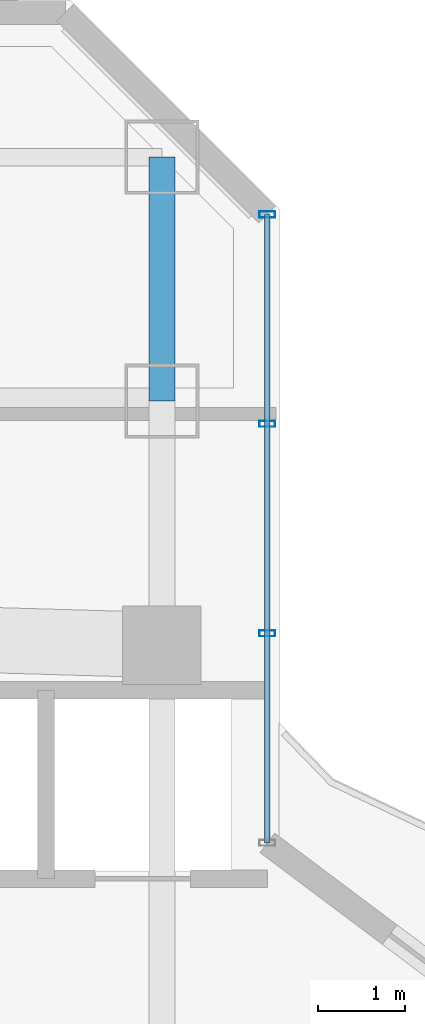
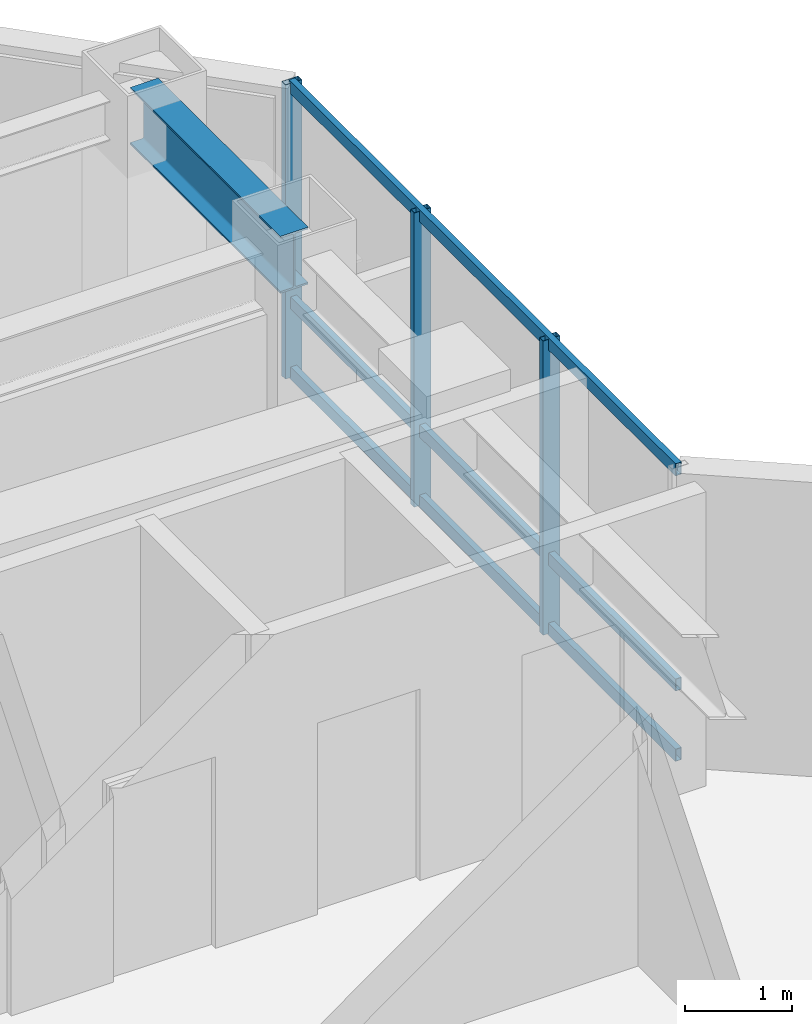
# One storey, part 19 of 26: 6 members, 1 beam, 1 element without a shape of its own.
"""IFC4 building model written with IfcOpenShell, lengths in metres."""

from ifc_helpers import new_model, si_unit, direction, frame, origin, origin_2d, place, context, subcontext, project, spatial, hollow_rectangle, i_section, extrude, material, layer, layer_set, material_profile, profile_set, type_object, element, aggregate, save


model = new_model("IFC4")

# Units and contexts
model_context = context("Model", 3, precision=1e-05, world=origin(), true_north=direction((0.0, 1.0)))
body_context = subcontext(model_context, "Body", "Model", "MODEL_VIEW")
ifc_project = project(units=[si_unit("LENGTHUNIT", "METRE"), si_unit("AREAUNIT", "SQUARE_METRE"), si_unit("VOLUMEUNIT", "CUBIC_METRE"), si_unit("PLANEANGLEUNIT", "RADIAN"), si_unit("MASSUNIT", "GRAM", prefix="KILO")], contexts=[model_context])

# Site, building, storey
site_placement = place(None, origin())
site = spatial("IfcSite", under=ifc_project, at=site_placement, CompositionType="ELEMENT")
building_placement = place(site_placement, origin())
building = spatial("IfcBuilding", under=site, at=building_placement, Name="Hatsunagi Terrace Concourse", CompositionType="ELEMENT")
storey_placement = place(building_placement, frame((0.0, 0.0, 152.85009765625)))
storey = spatial("IfcBuildingStorey", under=building, at=storey_placement, Name="L40", CompositionType="ELEMENT", Elevation=152.85009765625)

# Curtain wall, members
ifc_material_1 = material(Name="Anodised Aluminium Alloy 6063-T5", Category="aluminium")
ifc_layer = layer(ifc_material_1, 0.199951171875)
ifc_layer_set = layer_set([ifc_layer], Name="OfficeZone1_CW03")
curtain_wall_type = type_object("IfcCurtainWallType", Name="OfficeZone1_CW03", PredefinedType="NOTDEFINED", material=ifc_layer_set)
curtain_wall_placement = place(storey_placement, origin())
curtain_wall = element("IfcCurtainWall", 1, at=curtain_wall_placement, inside=storey, type_object=curtain_wall_type, Name="Unitised Curtain Wall CW-03 CW-L40-13", PredefinedType="NOTDEFINED")
ifc_material_2 = material(Name="Anodised Aluminium Alloy 6063-T5", Category="aluminium")
ifc_material_profile_1 = material_profile(ifc_material_2, hollow_rectangle(XDim=0.070068359375, YDim=0.179931640625, WallThickness=0.00390625, at=origin_2d()), Name="ALU-MUL-180x70x4")
ifc_profile_set_1 = profile_set([ifc_material_profile_1], Name="Anodised Aluminium Alloy 6063-T5")
member_type_1 = type_object("IfcMemberType", Name="CurtainWallMullion_180x70", PredefinedType="MULLION", material=ifc_profile_set_1)
member_1_placement = place(storey_placement, frame((44.860107421875, 47.94189453125, 0.0), z_axis=(0.0, 0.0, 1.0), x_axis=(0.0, -1.0, 0.0)))
member_1 = element("IfcMember", 2, at=member_1_placement, type_object=member_type_1, Name="Curtain Wall Mullion MUL-02", PredefinedType="MULLION", context=body_context, shape_type="SweptSolid", body=[
    extrude(hollow_rectangle(XDim=0.070068359375, YDim=0.179931640625, WallThickness=0.00390625, at=origin_2d()), origin(), (0.0, 0.0, 1.0), 3.349853515625),
])
member_2_placement = place(storey_placement, frame((44.860107421875, 45.5380859375, 0.0), z_axis=(0.0, 0.0, 1.0), x_axis=(0.0, -1.0, 0.0)))
member_2 = element("IfcMember", 3, at=member_2_placement, type_object=member_type_1, Name="Curtain Wall Mullion MUL-02", PredefinedType="MULLION", context=body_context, shape_type="SweptSolid", body=[
    extrude(hollow_rectangle(XDim=0.070068359375, YDim=0.179931640625, WallThickness=0.00390625, at=origin_2d()), origin(), (0.0, 0.0, 1.0), 3.349853515625),
])
member_3_placement = place(storey_placement, frame((44.860107421875, 43.134033203125, 0.0), z_axis=(0.0, 0.0, 1.0), x_axis=(0.0, -1.0, 0.0)))
member_3 = element("IfcMember", 4, at=member_3_placement, type_object=member_type_1, Name="Curtain Wall Mullion MUL-02", PredefinedType="MULLION", context=body_context, shape_type="SweptSolid", body=[
    extrude(hollow_rectangle(XDim=0.070068359375, YDim=0.179931640625, WallThickness=0.00390625, at=origin_2d()), origin(), (0.0, 0.0, 1.0), 3.349853515625),
])
ifc_material_3 = material(Name="Anodised Aluminium Alloy 6063-T5", Category="aluminium")
ifc_material_profile_2 = material_profile(ifc_material_3, hollow_rectangle(XDim=0.06494140625, YDim=0.139892578125, WallThickness=0.00390625, at=origin_2d()), Name="ALU-TRN-140x65x4")
ifc_profile_set_2 = profile_set([ifc_material_profile_2], Name="Anodised Aluminium Alloy 6063-T5")
member_type_2 = type_object("IfcMemberType", Name="CurtainWallTransom_140x65", PredefinedType="USERDEFINED", material=ifc_profile_set_2)
member_4_placement = place(storey_placement, frame((44.860107421875, 47.94189453125, 0.0498046875), z_axis=(0.0, -1.0, 0.0), x_axis=(1.0, 0.0, 0.0)))
member_4 = element("IfcMember", 5, at=member_4_placement, type_object=member_type_2, Name="Curtain Wall Transom TRN-02", ObjectType="TRANSOM", PredefinedType="USERDEFINED", context=body_context, shape_type="SweptSolid", body=[
    extrude(hollow_rectangle(XDim=0.06494140625, YDim=0.139892578125, WallThickness=0.00390625, at=origin_2d()), origin(), (0.0, 0.0, 1.0), 7.2119140625),
])
member_5_placement = place(storey_placement, frame((44.860107421875, 47.94189453125, 0.849853515625), z_axis=(0.0, -1.0, 0.0), x_axis=(1.0, 0.0, 0.0)))
member_5 = element("IfcMember", 6, at=member_5_placement, type_object=member_type_2, Name="Curtain Wall Transom TRN-02", ObjectType="TRANSOM", PredefinedType="USERDEFINED", context=body_context, shape_type="SweptSolid", body=[
    extrude(hollow_rectangle(XDim=0.06494140625, YDim=0.139892578125, WallThickness=0.00390625, at=origin_2d()), origin(), (0.0, 0.0, 1.0), 7.2119140625),
])
member_6_placement = place(storey_placement, frame((44.860107421875, 47.94189453125, 3.2998046875), z_axis=(0.0, -1.0, 0.0), x_axis=(1.0, 0.0, 0.0)))
member_6 = element("IfcMember", 7, at=member_6_placement, type_object=member_type_2, Name="Curtain Wall Transom TRN-02", ObjectType="TRANSOM", PredefinedType="USERDEFINED", context=body_context, shape_type="SweptSolid", body=[
    extrude(hollow_rectangle(XDim=0.06494140625, YDim=0.139892578125, WallThickness=0.00390625, at=origin_2d()), origin(), (0.0, 0.0, 1.0), 7.2119140625),
])
aggregate(curtain_wall, [member_1, member_2, member_3, member_4, member_5, member_6])

# Beam
ifc_material_4 = material(Name="Steel SN490B", Category="steel")
ifc_material_profile_3 = material_profile(ifc_material_4, i_section(OverallWidth=0.300048828125, OverallDepth=0.64990234375, WebThickness=0.012939453125, FlangeThickness=0.02197265625, FilletRadius=0.01806640625, at=origin_2d()), Name="H-650x300x13x22")
ifc_profile_set_3 = profile_set([ifc_material_profile_3], Name="Steel SN490B")
beam_type = type_object("IfcBeamType", Name="OfficeLowGirder_H_650x300", PredefinedType="BEAM", material=ifc_profile_set_3)
beam_placement = place(storey_placement, frame((43.64990234375, 45.800048828125, 3.02490234375), z_axis=(0.0, 1.0, 0.0), x_axis=(-1.0, 0.0, 0.0)))
element("IfcBeam", 8, at=beam_placement, inside=storey, type_object=beam_type, Name="Beam G-05 BM-L40-KN-WN6", PredefinedType="BEAM", context=body_context, shape_type="SweptSolid", body=[
    extrude(i_section(OverallWidth=0.300048828125, OverallDepth=0.64990234375, WebThickness=0.012939453125, FlangeThickness=0.02197265625, FilletRadius=0.01806640625, at=origin_2d()), origin(), (0.0, 0.0, 1.0), 2.800048828125),
])

save(model, "model.ifc")
